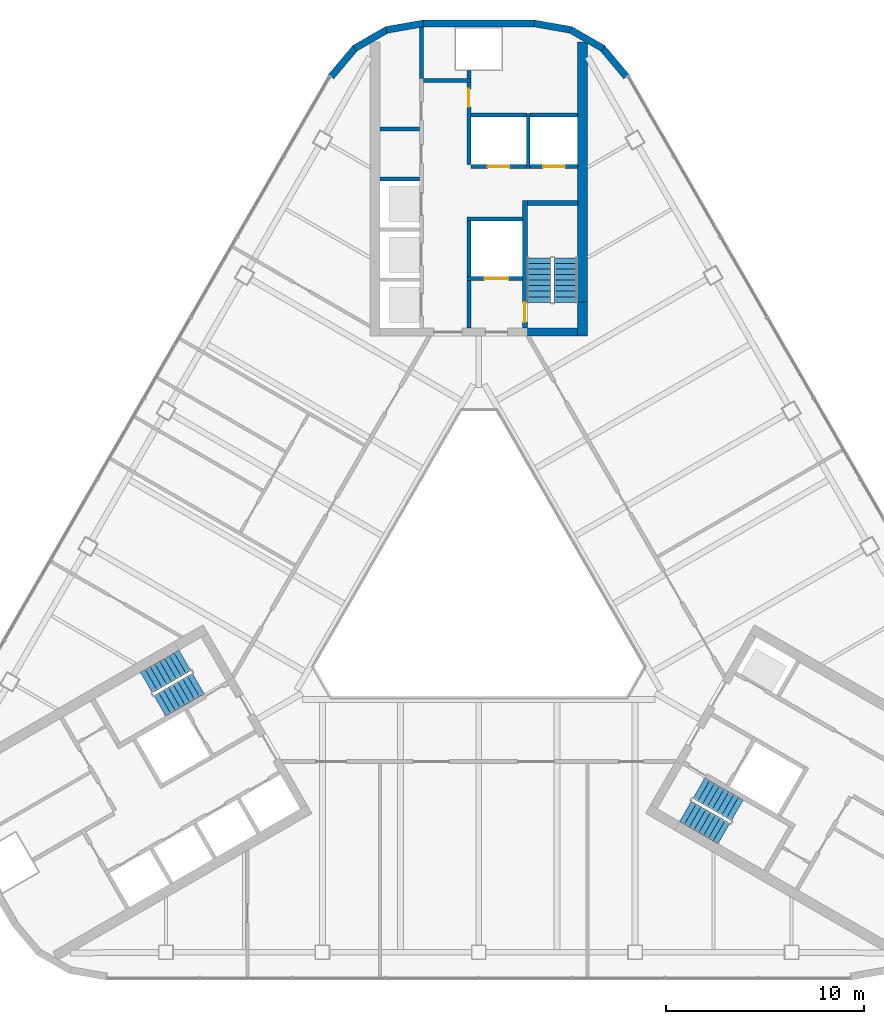
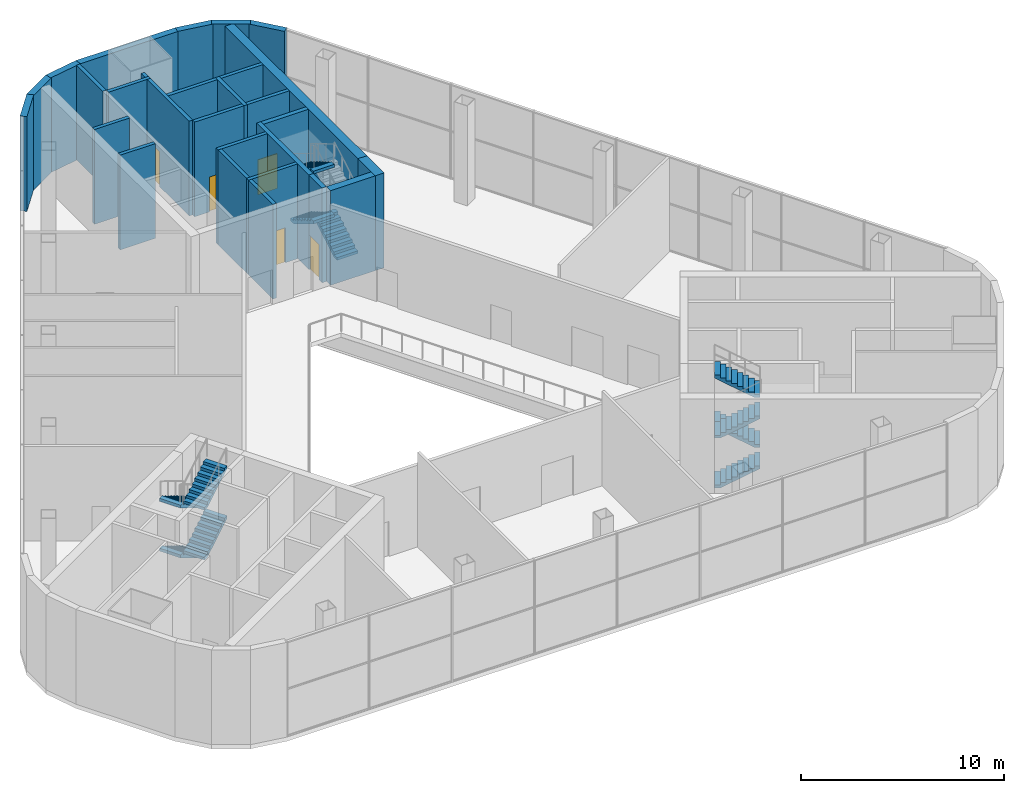
# One storey, part 10 of 14: 28 walls, 11 stair flights, 5 doors, 5 openings, 3 elements without a shape of their own.
"""IFC4 building model written with IfcOpenShell, lengths in metres."""

from ifc_helpers import new_model, si_unit, direction, frame, frame_2d, origin, place, context, subcontext, project, spatial, polyline, rectangle, outline, extrude, material, layer, layer_set, type_object, element, fill, aggregate, save


model = new_model("IFC4")

# Units and contexts
model_context = context("Model", 3, precision=1e-05, world=origin(), true_north=direction((0.0, 1.0)))
body_context = subcontext(model_context, "Body", "Model", "MODEL_VIEW")
ifc_project = project(units=[si_unit("LENGTHUNIT", "METRE"), si_unit("AREAUNIT", "SQUARE_METRE"), si_unit("VOLUMEUNIT", "CUBIC_METRE"), si_unit("PLANEANGLEUNIT", "RADIAN"), si_unit("MASSUNIT", "GRAM", prefix="KILO")], contexts=[model_context])

# Site, building, storey
site_placement = place(None, origin())
site = spatial("IfcSite", under=ifc_project, at=site_placement, CompositionType="ELEMENT")
building_placement = place(site_placement, origin())
building = spatial("IfcBuilding", under=site, at=building_placement, Name="Apuvela Tower Hotel", CompositionType="ELEMENT")
storey_placement = place(building_placement, frame((0.0, 0.0, 231.699951171875)))
storey = spatial("IfcBuildingStorey", under=building, at=storey_placement, Name="L57", CompositionType="ELEMENT", Elevation=231.699951171875)

# Walls
ifc_material_1 = material(Name="Concrete C50/60", Category="concrete")
ifc_layer_1 = layer(ifc_material_1, 0.39990234375)
ifc_layer_set_1 = layer_set([ifc_layer_1], Name="COR-WALL-CORE-400")
wall_type_1 = type_object("IfcWallType", Name="COR-WALL-CORE-400", PredefinedType="SHEAR", material=ifc_layer_set_1)
wall_1_placement = place(storey_placement, frame((5.0, 13.10009765625, 0.0), z_axis=(0.0, 0.0, 1.0), x_axis=(-1.0, 0.0, 0.0)))
element("IfcWall", 1, at=wall_1_placement, inside=storey, type_object=wall_type_1, Name="Core wall N", PredefinedType="SHEAR", context=body_context, shape_type="SweptSolid", body=[
    extrude(rectangle(XDim=2.550048828125, YDim=0.39990234375, at=frame_2d((1.27490234375, 0.0))), origin(), (0.0, 0.0, 1.0), 5.699951171875),
])
ifc_layer_2 = layer(ifc_material_1, 0.5)
ifc_layer_set_2 = layer_set([ifc_layer_2], Name="COR-WALL-CORE-500")
wall_type_2 = type_object("IfcWallType", Name="COR-WALL-CORE-500", PredefinedType="SHEAR", material=ifc_layer_set_2)
wall_2_placement = place(storey_placement, frame((5.25, 12.89990234375, 0.0), z_axis=(0.0, 0.0, 1.0), x_axis=(0.0, 1.0, 0.0)))
element("IfcWall", 2, at=wall_2_placement, inside=storey, type_object=wall_type_2, Name="Core wall N", PredefinedType="SHEAR", context=body_context, shape_type="SweptSolid", body=[
    extrude(rectangle(XDim=1.7060546875, YDim=0.5, at=frame_2d((0.85302734375, 0.0))), origin(), (0.0, 0.0, 1.0), 5.699951171875),
])
wall_3_placement = place(storey_placement, frame((5.25, 14.60595703125, 0.0), z_axis=(0.0, 0.0, 1.0), x_axis=(0.0, 1.0, 0.0)))
element("IfcWall", 3, at=wall_3_placement, inside=storey, type_object=wall_type_2, Name="Core wall N", PredefinedType="SHEAR", context=body_context, shape_type="SweptSolid", body=[
    extrude(rectangle(XDim=13.130859375, YDim=0.5, at=frame_2d((6.5654296875, 0.0))), origin(), (0.0, 0.0, 1.0), 5.699951171875),
])

# Wall, opening, door
ifc_material_2 = material(Name="Blockwork 200 mm plastered", Category="masonry")
ifc_layer_3 = layer(ifc_material_2, 0.199951171875)
ifc_layer_set_3 = layer_set([ifc_layer_3], Name="COR-WALL-PART-200")
wall_type_3 = type_object("IfcWallType", Name="COR-WALL-PART-200", PredefinedType="PARTITIONING", material=ifc_layer_set_3)
wall_4_placement = place(storey_placement, frame((5.0, 21.449951171875, 0.0), z_axis=(0.0, 0.0, 1.0), x_axis=(-1.0, 0.0, 0.0)))
wall_4 = element("IfcWall", 4, at=wall_4_placement, inside=storey, type_object=wall_type_3, Name="Partition N", PredefinedType="PARTITIONING", context=body_context, shape_type="SweptSolid", body=[
    extrude(rectangle(XDim=2.39990234375, YDim=0.199951171875, at=frame_2d((1.199951171875, 0.0))), origin(), (0.0, 0.0, 1.0), 5.699951171875),
])
opening_1_placement = place(wall_4_placement, frame((0.64990234375, 0.0, 0.0)))
opening_1 = element("IfcOpeningElement", 5, at=opening_1_placement, cuts=wall_4, Name="Opening N-LD-SH1", PredefinedType="OPENING", context=body_context, shape_type="SweptSolid", body=[
    extrude(rectangle(XDim=1.10009765625, YDim=2.10009765625, at=frame_2d((0.550048828125, 1.050048828125))), frame((0.0, 0.10986328125, 0.0), z_axis=(0.0, -1.0, 0.0), x_axis=(1.0, 0.0, 0.0)), (0.0, 0.0, 1.0), 0.219970703125),
])
ifc_material_3 = material(Name="Stainless steel lift landing door", Category="steel")
door_type_1 = type_object("IfcDoorType", Name="COR-LD-1100", OperationType="DOUBLE_DOOR_SLIDING", PredefinedType="DOOR", material=ifc_material_3)
door_1_placement = place(opening_1_placement, origin())
door_1 = element("IfcDoor", 6, at=door_1_placement, inside=storey, type_object=door_type_1, Name="Lift landing door N-LD-SH1", OperationType="DOUBLE_DOOR_SLIDING", OverallHeight=2.10009765625, OverallWidth=1.10009765625, PredefinedType="DOOR", context=body_context, shape_type="SweptSolid", body=[
    extrude(rectangle(XDim=1.10009765625, YDim=2.10009765625, at=frame_2d((0.550048828125, 1.050048828125))), frame((0.0, 0.02490234375, 0.0), z_axis=(0.0, -1.0, 0.0), x_axis=(1.0, 0.0, 0.0)), (0.0, 0.0, 1.0), 0.050048828125),
])
fill(opening_1, door_1)

wall_5_placement = place(storey_placement, frame((2.39990234375, 21.449951171875, 0.0), z_axis=(0.0, 0.0, 1.0), x_axis=(-1.0, 0.0, 0.0)))
wall_5 = element("IfcWall", 7, at=wall_5_placement, inside=storey, type_object=wall_type_3, Name="Partition N", PredefinedType="PARTITIONING", context=body_context, shape_type="SweptSolid", body=[
    extrude(rectangle(XDim=2.7998046875, YDim=0.199951171875, at=frame_2d((1.39990234375, 0.0))), origin(), (0.0, 0.0, 1.0), 5.699951171875),
])
opening_2_placement = place(wall_5_placement, frame((0.85009765625, 0.0, 0.0)))
opening_2 = element("IfcOpeningElement", 8, at=opening_2_placement, cuts=wall_5, Name="Opening N-LD-SH2", PredefinedType="OPENING", context=body_context, shape_type="SweptSolid", body=[
    extrude(rectangle(XDim=1.10009765625, YDim=2.10009765625, at=frame_2d((0.550048828125, 1.050048828125))), frame((0.0, 0.10986328125, 0.0), z_axis=(0.0, -1.0, 0.0), x_axis=(1.0, 0.0, 0.0)), (0.0, 0.0, 1.0), 0.219970703125),
])
door_2_placement = place(opening_2_placement, origin())
door_2 = element("IfcDoor", 9, at=door_2_placement, inside=storey, type_object=door_type_1, Name="Lift landing door N-LD-SH2", OperationType="DOUBLE_DOOR_SLIDING", OverallHeight=2.10009765625, OverallWidth=1.10009765625, PredefinedType="DOOR", context=body_context, shape_type="SweptSolid", body=[
    extrude(rectangle(XDim=1.10009765625, YDim=2.10009765625, at=frame_2d((0.550048828125, 1.050048828125))), frame((0.0, 0.02490234375, 0.0), z_axis=(0.0, -1.0, 0.0), x_axis=(1.0, 0.0, 0.0)), (0.0, 0.0, 1.0), 0.050048828125),
])
fill(opening_2, door_2)

# Wall
ifc_layer_4 = layer(ifc_material_1, 0.199951171875)
ifc_layer_set_4 = layer_set([ifc_layer_4], Name="COR-WALL-SHAFT-200")
wall_type_4 = type_object("IfcWallType", Name="COR-WALL-SHAFT-200", PredefinedType="SHEAR", material=ifc_layer_set_4)
wall_6_placement = place(storey_placement, frame((2.199951171875, 18.800048828125, 0.0), z_axis=(0.0, 0.0, 1.0), x_axis=(-1.0, 0.0, 0.0)))
element("IfcWall", 10, at=wall_6_placement, inside=storey, type_object=wall_type_4, Name="Shaft wall N", PredefinedType="SHEAR", context=body_context, shape_type="SweptSolid", body=[
    extrude(rectangle(XDim=2.800048828125, YDim=0.199951171875, at=frame_2d((1.39990234375, 0.0))), origin(), (0.0, 0.0, 1.0), 5.699951171875),
])

# Wall, opening, door
wall_7_placement = place(storey_placement, frame((2.199951171875, 15.800048828125, 0.0), z_axis=(0.0, 0.0, 1.0), x_axis=(-1.0, 0.0, 0.0)))
wall_7 = element("IfcWall", 11, at=wall_7_placement, inside=storey, type_object=wall_type_4, Name="Shaft wall N", PredefinedType="SHEAR", context=body_context, shape_type="SweptSolid", body=[
    extrude(rectangle(XDim=2.800048828125, YDim=0.199951171875, at=frame_2d((1.39990234375, 0.0))), origin(), (0.0, 0.0, 1.0), 5.699951171875),
])
opening_3_placement = place(wall_7_placement, frame((0.699951171875, 0.0, 0.0)))
opening_3 = element("IfcOpeningElement", 12, at=opening_3_placement, cuts=wall_7, Name="Opening N-LD-FS1", PredefinedType="OPENING", context=body_context, shape_type="SweptSolid", body=[
    extrude(rectangle(XDim=1.199951171875, YDim=2.10009765625, at=frame_2d((0.60009765625, 1.050048828125))), frame((0.0, 0.10986328125, 0.0), z_axis=(0.0, -1.0, 0.0), x_axis=(1.0, 0.0, 0.0)), (0.0, 0.0, 1.0), 0.219970703125),
])
door_type_2 = type_object("IfcDoorType", Name="COR-LD-1200", OperationType="DOUBLE_DOOR_SLIDING", PredefinedType="DOOR", material=ifc_material_3)
door_3_placement = place(opening_3_placement, origin())
door_3 = element("IfcDoor", 13, at=door_3_placement, inside=storey, type_object=door_type_2, Name="Lift landing door N-LD-FS1", OperationType="DOUBLE_DOOR_SLIDING", OverallHeight=2.10009765625, OverallWidth=1.199951171875, PredefinedType="DOOR", context=body_context, shape_type="SweptSolid", body=[
    extrude(rectangle(XDim=1.199951171875, YDim=2.10009765625, at=frame_2d((0.60009765625, 1.050048828125))), frame((0.0, 0.02490234375, 0.0), z_axis=(0.0, -1.0, 0.0), x_axis=(1.0, 0.0, 0.0)), (0.0, 0.0, 1.0), 0.050048828125),
])
fill(opening_3, door_3)

# Walls
wall_8_placement = place(storey_placement, frame((-0.5, 15.89990234375, 0.0), z_axis=(0.0, 0.0, 1.0), x_axis=(0.0, 1.0, 0.0)))
element("IfcWall", 14, at=wall_8_placement, inside=storey, type_object=wall_type_4, Name="Shaft wall N", PredefinedType="SHEAR", context=body_context, shape_type="SweptSolid", body=[
    extrude(rectangle(XDim=2.800048828125, YDim=0.199951171875, at=frame_2d((1.39990234375, 0.0))), origin(), (0.0, 0.0, 1.0), 5.699951171875),
])
wall_9_placement = place(storey_placement, frame((-0.5, 13.300048828125, 0.0), z_axis=(0.0, 0.0, 1.0), x_axis=(0.0, 1.0, 0.0)))
element("IfcWall", 15, at=wall_9_placement, inside=storey, type_object=wall_type_4, Name="Shaft wall N", PredefinedType="SHEAR", context=body_context, shape_type="SweptSolid", body=[
    extrude(rectangle(XDim=2.39990234375, YDim=0.199951171875, at=frame_2d((1.199951171875, 0.0))), origin(), (0.0, 0.0, 1.0), 5.699951171875),
])
wall_10_placement = place(storey_placement, frame((-0.39990234375, 25.800048828125, 0.0), z_axis=(0.0, 0.0, 1.0), x_axis=(-1.0, 0.0, 0.0)))
element("IfcWall", 16, at=wall_10_placement, inside=storey, type_object=wall_type_4, Name="Shaft wall N", PredefinedType="SHEAR", context=body_context, shape_type="SweptSolid", body=[
    extrude(rectangle(XDim=2.400146484375, YDim=0.199951171875, at=frame_2d((1.2001953125, 0.0))), origin(), (0.0, 0.0, 1.0), 5.699951171875),
])

# Wall, opening, door
wall_11_placement = place(storey_placement, frame((-0.5, 21.550048828125, 0.0), z_axis=(0.0, 0.0, 1.0), x_axis=(0.0, 1.0, 0.0)))
wall_11 = element("IfcWall", 17, at=wall_11_placement, inside=storey, type_object=wall_type_4, Name="Shaft wall N", PredefinedType="SHEAR", context=body_context, shape_type="SweptSolid", body=[
    extrude(rectangle(XDim=4.14990234375, YDim=0.199951171875, at=frame_2d((2.074951171875, 0.0))), origin(), (0.0, 0.0, 1.0), 5.699951171875),
])
opening_4_placement = place(wall_11_placement, frame((2.925048828125, 0.0, 0.0)))
opening_4 = element("IfcOpeningElement", 18, at=opening_4_placement, cuts=wall_11, Name="Opening N-RSP", PredefinedType="OPENING", context=body_context, shape_type="SweptSolid", body=[
    extrude(rectangle(XDim=0.89990234375, YDim=2.10009765625, at=frame_2d((0.449951171875, 1.050048828125))), frame((0.0, 0.10986328125, 0.0), z_axis=(0.0, -1.0, 0.0), x_axis=(1.0, 0.0, 0.0)), (0.0, 0.0, 1.0), 0.219970703125),
])
ifc_material_4 = material(Name="Steel fire door, powder coated", Category="steel")
door_type_3 = type_object("IfcDoorType", Name="COR-DR-900", OperationType="NOTDEFINED", PredefinedType="DOOR", material=ifc_material_4)
door_4_placement = place(opening_4_placement, frame((0.89990234375, 0.0, 0.0), z_axis=(0.0, 0.0, 1.0), x_axis=(-1.0, 0.0, 0.0)))
door_4 = element("IfcDoor", 19, at=door_4_placement, inside=storey, type_object=door_type_3, Name="Store door N-RSP", OperationType="SINGLE_SWING_LEFT", OverallHeight=2.10009765625, OverallWidth=0.89990234375, PredefinedType="DOOR", context=body_context, shape_type="SweptSolid", body=[
    extrude(rectangle(XDim=0.89990234375, YDim=2.10009765625, at=frame_2d((0.449951171875, 1.050048828125))), frame((0.0, 0.02490234375, 0.0), z_axis=(0.0, -1.0, 0.0), x_axis=(1.0, 0.0, 0.0)), (0.0, 0.0, 1.0), 0.050048828125),
])
fill(opening_4, door_4)

# Walls
for number, where, z_axis, x_axis, name in (
    (20, (-3.0, 20.820068359375, 0.0), (0.0, 0.0, 1.0), (-1.0, 0.0, 0.0), "Shaft wall N"),
    (21, (-3.0, 23.360107421875, 0.0), (0.0, 0.0, 1.0), (-1.0, 0.0, 0.0), "Shaft wall N"),
):
    element("IfcWall", number, at=place(storey_placement, frame(where, z_axis=z_axis, x_axis=x_axis)), inside=storey, type_object=wall_type_4, Name=name, PredefinedType="SHEAR", context=body_context, shape_type="SweptSolid", body=[
        extrude(rectangle(XDim=2.0, YDim=0.199951171875, at=frame_2d((1.0, 0.0))), origin(), (0.0, 0.0, 1.0), 5.699951171875),
    ])
wall_12_placement = place(storey_placement, frame((-0.5, 25.89990234375, 0.0), z_axis=(0.0, 0.0, 1.0), x_axis=(0.0, 1.0, 0.0)))
element("IfcWall", 22, at=wall_12_placement, inside=storey, type_object=wall_type_4, Name="Shaft wall N", PredefinedType="SHEAR", context=body_context, shape_type="SweptSolid", body=[
    extrude(rectangle(XDim=0.400146484375, YDim=0.199951171875, at=frame_2d((0.2001953125, 0.0))), origin(), (0.0, 0.0, 1.0), 5.699951171875),
])
wall_13_placement = place(storey_placement, frame((-2.89990234375, 25.89990234375, 0.0), z_axis=(0.0, 0.0, 1.0), x_axis=(0.0, 1.0, 0.0)))
element("IfcWall", 23, at=wall_13_placement, inside=storey, type_object=wall_type_4, Name="Shaft wall N", PredefinedType="SHEAR", context=body_context, shape_type="SweptSolid", body=[
    extrude(rectangle(XDim=2.60009765625, YDim=0.199951171875, at=frame_2d((1.300048828125, 0.0))), origin(), (0.0, 0.0, 1.0), 5.699951171875),
])
wall_14_placement = place(storey_placement, frame((2.5, 21.35009765625, 0.0), z_axis=(0.0, 0.0, 1.0), x_axis=(0.0, 1.0, 0.0)))
element("IfcWall", 24, at=wall_14_placement, inside=storey, type_object=wall_type_4, Name="Shaft wall N", PredefinedType="SHEAR", context=body_context, shape_type="SweptSolid", body=[
    extrude(rectangle(XDim=2.7998046875, YDim=0.199951171875, at=frame_2d((1.39990234375, 0.0))), origin(), (0.0, 0.0, 1.0), 5.699951171875),
])
wall_15_placement = place(storey_placement, frame((5.0, 24.050048828125, 0.0), z_axis=(0.0, 0.0, 1.0), x_axis=(-1.0, 0.0, 0.0)))
element("IfcWall", 25, at=wall_15_placement, inside=storey, type_object=wall_type_4, Name="Shaft wall N", PredefinedType="SHEAR", context=body_context, shape_type="SweptSolid", body=[
    extrude(rectangle(XDim=2.39990234375, YDim=0.199951171875, at=frame_2d((1.199951171875, 0.0))), origin(), (0.0, 0.0, 1.0), 5.699951171875),
])
wall_16_placement = place(storey_placement, frame((2.39990234375, 24.050048828125, 0.0), z_axis=(0.0, 0.0, 1.0), x_axis=(-1.0, 0.0, 0.0)))
element("IfcWall", 26, at=wall_16_placement, inside=storey, type_object=wall_type_4, Name="Shaft wall N", PredefinedType="SHEAR", context=body_context, shape_type="SweptSolid", body=[
    extrude(rectangle(XDim=2.7998046875, YDim=0.199951171875, at=frame_2d((1.39990234375, 0.0))), origin(), (0.0, 0.0, 1.0), 5.699951171875),
])
ifc_layer_5 = layer(ifc_material_1, 0.25)
ifc_layer_set_5 = layer_set([ifc_layer_5], Name="COR-WALL-STAIR-250")
wall_type_5 = type_object("IfcWallType", Name="COR-WALL-STAIR-250", PredefinedType="SHEAR", material=ifc_layer_set_5)
wall_17_placement = place(storey_placement, frame((5.0, 19.625, 0.0), z_axis=(0.0, 0.0, 1.0), x_axis=(-1.0, 0.0, 0.0)))
element("IfcWall", 27, at=wall_17_placement, inside=storey, type_object=wall_type_5, Name="Stair wall N", PredefinedType="SHEAR", context=body_context, shape_type="SweptSolid", body=[
    extrude(rectangle(XDim=2.550048828125, YDim=0.25, at=frame_2d((1.27490234375, 0.0))), origin(), (0.0, 0.0, 1.0), 5.699951171875),
])

# Wall, opening, door
wall_18_placement = place(storey_placement, frame((2.324951171875, 13.300048828125, 0.0), z_axis=(0.0, 0.0, 1.0), x_axis=(0.0, 1.0, 0.0)))
wall_18 = element("IfcWall", 28, at=wall_18_placement, inside=storey, type_object=wall_type_5, Name="Stair wall N", PredefinedType="SHEAR", context=body_context, shape_type="SweptSolid", body=[
    extrude(rectangle(XDim=1.305908203125, YDim=0.25, at=frame_2d((0.65283203125, 0.0))), origin(), (0.0, 0.0, 1.0), 5.699951171875),
])
opening_5_placement = place(wall_18_placement, frame((0.300048828125, 0.0, 0.0)))
opening_5 = element("IfcOpeningElement", 29, at=opening_5_placement, cuts=wall_18, Name="Opening N-SD", PredefinedType="OPENING", context=body_context, shape_type="SweptSolid", body=[
    extrude(rectangle(XDim=1.0, YDim=2.10009765625, at=frame_2d((0.5, 1.050048828125))), frame((0.0, 0.135009765625, 0.0), z_axis=(0.0, -1.0, 0.0), x_axis=(1.0, 0.0, 0.0)), (0.0, 0.0, 1.0), 0.27001953125),
])
door_type_4 = type_object("IfcDoorType", Name="COR-SD-1000", OperationType="NOTDEFINED", PredefinedType="DOOR", material=ifc_material_4)
door_5_placement = place(opening_5_placement, frame((1.0, 0.0, 0.0), z_axis=(0.0, 0.0, 1.0), x_axis=(-1.0, 0.0, 0.0)))
door_5 = element("IfcDoor", 30, at=door_5_placement, inside=storey, type_object=door_type_4, Name="Stair door N-SD", OperationType="SINGLE_SWING_LEFT", OverallHeight=2.10009765625, OverallWidth=1.0, PredefinedType="DOOR", context=body_context, shape_type="SweptSolid", body=[
    extrude(rectangle(XDim=1.0, YDim=2.10009765625, at=frame_2d((0.5, 1.050048828125))), frame((0.0, 0.02490234375, 0.0), z_axis=(0.0, -1.0, 0.0), x_axis=(1.0, 0.0, 0.0)), (0.0, 0.0, 1.0), 0.050048828125),
])
fill(opening_5, door_5)

# Walls
wall_19_placement = place(storey_placement, frame((2.324951171875, 14.60595703125, 0.0), z_axis=(0.0, 0.0, 1.0), x_axis=(0.0, 1.0, 0.0)))
element("IfcWall", 31, at=wall_19_placement, inside=storey, type_object=wall_type_5, Name="Stair wall N", PredefinedType="SHEAR", context=body_context, shape_type="SweptSolid", body=[
    extrude(rectangle(XDim=5.14404296875, YDim=0.25, at=frame_2d((2.572021484375, 0.0))), origin(), (0.0, 0.0, 1.0), 5.699951171875),
])
ifc_material_5 = material(Name="Concrete C40/50, dark pigmented precast panel", Category="concrete")
ifc_layer_6 = layer(ifc_material_5, 0.35009765625)
ifc_layer_set_6 = layer_set([ifc_layer_6], Name="ENV-WALL-350")
wall_type_6 = type_object("IfcWallType", Name="ENV-WALL-350", PredefinedType="SOLIDWALL", material=ifc_layer_set_6)
for number, where, z_axis, x_axis, name in (
    (32, (6.27685546875, 27.421630859375, 0.0), (0.0, 0.0, 1.0), (-0.866032345022, 0.499987977232, 0.0), "External wall L57-01"),
    (33, (4.6796875, 28.35595703125, 0.0), (0.0, 0.0, 1.0), (-0.984798995425, 0.173697837091, 0.0), "External wall L57-02"),
):
    element("IfcWall", number, at=place(storey_placement, frame(where, z_axis=z_axis, x_axis=x_axis)), inside=storey, type_object=wall_type_6, Name=name, PredefinedType="SOLIDWALL", context=body_context, shape_type="SweptSolid", body=[
        extrude(rectangle(XDim=1.91015625, YDim=0.35009765625, at=frame_2d((0.955078125, 0.0))), origin(), (0.0, 0.0, 1.0), 5.699951171875),
    ])
wall_20_placement = place(storey_placement, frame((2.8291015625, 28.68505859375, 0.0), z_axis=(0.0, 0.0, 1.0), x_axis=(-1.0, 0.0, 0.0)))
element("IfcWall", 34, at=wall_20_placement, inside=storey, type_object=wall_type_6, Name="External wall L57-03", PredefinedType="SOLIDWALL", context=body_context, shape_type="SweptSolid", body=[
    extrude(rectangle(XDim=5.658203125, YDim=0.35009765625, at=frame_2d((2.8291015625, 0.0))), origin(), (0.0, 0.0, 1.0), 5.699951171875),
])
for number, where, z_axis, x_axis, name in (
    (35, (-2.798583984375, 28.687744140625, 0.0), (0.0, 0.0, 1.0), (-0.984798995425, -0.173697837091, 0.0), "External wall L57-04"),
    (36, (-4.62255859375, 28.376708984375, 0.0), (0.0, 0.0, 1.0), (-0.866032345022, -0.499987977232, 0.0), "External wall L57-05"),
):
    element("IfcWall", number, at=place(storey_placement, frame(where, z_axis=z_axis, x_axis=x_axis)), inside=storey, type_object=wall_type_6, Name=name, PredefinedType="SOLIDWALL", context=body_context, shape_type="SweptSolid", body=[
        extrude(rectangle(XDim=1.91015625, YDim=0.35009765625, at=frame_2d((0.955078125, 0.0))), origin(), (0.0, 0.0, 1.0), 5.699951171875),
    ])
for number, where, z_axis, x_axis, name in (
    (37, (-6.230224609375, 27.460693359375, 0.0), (0.0, 0.0, 1.0), (-0.642808304945, -0.766027077259, 0.0), "External wall L57-06"),
    (38, (7.4580078125, 25.99755859375, 0.0), (0.0, 0.0, 1.0), (-0.642808304945, 0.766027077259, 0.0), "External wall L57-24"),
):
    element("IfcWall", number, at=place(storey_placement, frame(where, z_axis=z_axis, x_axis=x_axis)), inside=storey, type_object=wall_type_6, Name=name, PredefinedType="SOLIDWALL", context=body_context, shape_type="SweptSolid", body=[
        extrude(rectangle(XDim=1.909912109375, YDim=0.35009765625, at=frame_2d((0.955078125, 0.0))), origin(), (0.0, 0.0, 1.0), 5.699951171875),
    ])

# Stair, stair flights
stair_type = type_object("IfcStairType", Name="COR-STAIR-36R", PredefinedType="HALF_TURN_STAIR", material=ifc_material_1)
stair_1_placement = place(storey_placement, origin())
stair_1 = element("IfcStair", 39, at=stair_1_placement, inside=storey, type_object=stair_type, Name="L57 Exit stair ST1", PredefinedType="HALF_TURN_STAIR")
stair_flight_type = type_object("IfcStairFlightType", Name="COR-FLIGHT-9R", PredefinedType="STRAIGHT", material=ifc_material_1)
stair_flight_1_placement = place(storey_placement, frame((4.39990234375, 14.60009765625, 0.0), z_axis=(0.0, 0.0, 1.0), x_axis=(0.0, 1.0, 0.0)))
stair_flight_1 = element("IfcStairFlight", 40, at=stair_flight_1_placement, type_object=stair_flight_type, Name="ST1 flight 1", NumberOfRisers=9, NumberOfTreads=8, PredefinedType="STRAIGHT", RiserHeight=0.166666667, TreadLength=0.28, context=body_context, shape_type="SweptSolid", body=[
    extrude(outline(polyline([(0.0, 0.0), (0.0, 0.166748046875), (0.280029296875, 0.166748046875), (0.280029296875, 0.333251953125), (0.56005859375, 0.333251953125), (0.56005859375, 0.5), (0.840087890625, 0.5), (0.840087890625, 0.666748046875), (1.1201171875, 0.666748046875), (1.1201171875, 0.833251953125), (1.39990234375, 0.833251953125), (1.39990234375, 1.0), (1.679931640625, 1.0), (1.679931640625, 1.166748046875), (1.9599609375, 1.166748046875), (1.9599609375, 1.333251953125), (2.239990234375, 1.333251953125), (2.239990234375, 1.5), (2.239990234375, 1.158935546875), (0.29296875, 0.0), (0.0, 0.0)])), frame((0.0, 0.60009765625, 0.0), z_axis=(0.0, -1.0, 0.0), x_axis=(1.0, 0.0, 0.0)), (0.0, 0.0, 1.0), 1.199951171875),
])
stair_flight_2_placement = place(storey_placement, frame((3.050048828125, 16.840087890625, 1.5), z_axis=(0.0, 0.0, 1.0), x_axis=(0.0, -1.0, 0.0)))
stair_flight_2 = element("IfcStairFlight", 41, at=stair_flight_2_placement, type_object=stair_flight_type, Name="ST1 flight 2", NumberOfRisers=9, NumberOfTreads=8, PredefinedType="STRAIGHT", RiserHeight=0.166666667, TreadLength=0.28, context=body_context, shape_type="SweptSolid", body=[
    extrude(outline(polyline([(0.0, 0.0), (0.0, 0.166748046875), (0.280029296875, 0.166748046875), (0.280029296875, 0.333251953125), (0.56005859375, 0.333251953125), (0.56005859375, 0.5), (0.840087890625, 0.5), (0.840087890625, 0.666748046875), (1.1201171875, 0.666748046875), (1.1201171875, 0.833251953125), (1.39990234375, 0.833251953125), (1.39990234375, 1.0), (1.679931640625, 1.0), (1.679931640625, 1.166748046875), (1.9599609375, 1.166748046875), (1.9599609375, 1.333251953125), (2.239990234375, 1.333251953125), (2.239990234375, 1.5), (2.239990234375, 1.158935546875), (0.29296875, 0.0), (0.0, 0.0)])), frame((0.0, 0.60009765625, 0.0), z_axis=(0.0, -1.0, 0.0), x_axis=(1.0, 0.0, 0.0)), (0.0, 0.0, 1.0), 1.199951171875),
])
stair_flight_3_placement = place(storey_placement, frame((3.050048828125, 16.840087890625, 4.5), z_axis=(0.0, 0.0, 1.0), x_axis=(0.0, -1.0, 0.0)))
stair_flight_3 = element("IfcStairFlight", 42, at=stair_flight_3_placement, type_object=stair_flight_type, Name="ST1 flight 4", NumberOfRisers=9, NumberOfTreads=8, PredefinedType="STRAIGHT", RiserHeight=0.166666667, TreadLength=0.28, context=body_context, shape_type="SweptSolid", body=[
    extrude(outline(polyline([(0.0, 0.0), (0.0, 0.166748046875), (0.280029296875, 0.166748046875), (0.280029296875, 0.333251953125), (0.56005859375, 0.333251953125), (0.56005859375, 0.5), (0.840087890625, 0.5), (0.840087890625, 0.666748046875), (1.1201171875, 0.666748046875), (1.1201171875, 0.833251953125), (1.39990234375, 0.833251953125), (1.39990234375, 1.0), (1.679931640625, 1.0), (1.679931640625, 1.166748046875), (1.9599609375, 1.166748046875), (1.9599609375, 1.333251953125), (2.239990234375, 1.333251953125), (2.239990234375, 1.5), (2.239990234375, 1.158935546875), (0.29296875, 0.0), (0.0, 0.0)])), frame((0.0, 0.60009765625, 0.0), z_axis=(0.0, -1.0, 0.0), x_axis=(1.0, 0.0, 0.0)), (0.0, 0.0, 1.0), 1.199951171875),
])
aggregate(stair_1, [stair_flight_1, stair_flight_2, stair_flight_3])

stair_2_placement = place(storey_placement, origin())
stair_2 = element("IfcStair", 43, at=stair_2_placement, inside=storey, type_object=stair_type, Name="L57 Exit stair ST2", PredefinedType="HALF_TURN_STAIR")
stair_flight_4_placement = place(storey_placement, frame((-14.843994140625, -3.489501953125, 0.0), z_axis=(0.0, 0.0, 1.0), x_axis=(-0.866025403784, -0.5, 0.0)))
stair_flight_4 = element("IfcStairFlight", 44, at=stair_flight_4_placement, type_object=stair_flight_type, Name="ST2 flight 1", NumberOfRisers=9, NumberOfTreads=8, PredefinedType="STRAIGHT", RiserHeight=0.166666667, TreadLength=0.28, context=body_context, shape_type="SweptSolid", body=[
    extrude(outline(polyline([(0.0, 0.0), (0.0, 0.166748046875), (0.280029296875, 0.166748046875), (0.280029296875, 0.333251953125), (0.56005859375, 0.333251953125), (0.56005859375, 0.5), (0.840087890625, 0.5), (0.840087890625, 0.666748046875), (1.1201171875, 0.666748046875), (1.1201171875, 0.833251953125), (1.39990234375, 0.833251953125), (1.39990234375, 1.0), (1.679931640625, 1.0), (1.679931640625, 1.166748046875), (1.9599609375, 1.166748046875), (1.9599609375, 1.333251953125), (2.239990234375, 1.333251953125), (2.239990234375, 1.5), (2.239990234375, 1.158935546875), (0.29296875, 0.0), (0.0, 0.0)])), frame((0.0, 0.60009765625, 0.0), z_axis=(0.0, -1.0, 0.0), x_axis=(1.0, 0.0, 0.0)), (0.0, 0.0, 1.0), 1.199951171875),
])
stair_flight_5_placement = place(storey_placement, frame((-16.10888671875, -5.778564453125, 1.5), z_axis=(0.0, 0.0, 1.0), x_axis=(0.866025403784, 0.5, 0.0)))
stair_flight_5 = element("IfcStairFlight", 45, at=stair_flight_5_placement, type_object=stair_flight_type, Name="ST2 flight 2", NumberOfRisers=9, NumberOfTreads=8, PredefinedType="STRAIGHT", RiserHeight=0.166666667, TreadLength=0.28, context=body_context, shape_type="SweptSolid", body=[
    extrude(outline(polyline([(0.0, 0.0), (0.0, 0.166748046875), (0.280029296875, 0.166748046875), (0.280029296875, 0.333251953125), (0.56005859375, 0.333251953125), (0.56005859375, 0.5), (0.840087890625, 0.5), (0.840087890625, 0.666748046875), (1.1201171875, 0.666748046875), (1.1201171875, 0.833251953125), (1.39990234375, 0.833251953125), (1.39990234375, 1.0), (1.679931640625, 1.0), (1.679931640625, 1.166748046875), (1.9599609375, 1.166748046875), (1.9599609375, 1.333251953125), (2.239990234375, 1.333251953125), (2.239990234375, 1.5), (2.239990234375, 1.158935546875), (0.29296875, 0.0), (0.0, 0.0)])), frame((0.0, 0.60009765625, 0.0), z_axis=(0.0, -1.0, 0.0), x_axis=(1.0, 0.0, 0.0)), (0.0, 0.0, 1.0), 1.199951171875),
])
stair_flight_6_placement = place(storey_placement, frame((-14.843994140625, -3.489501953125, 3.0), z_axis=(0.0, 0.0, 1.0), x_axis=(-0.866025403784, -0.5, 0.0)))
stair_flight_6 = element("IfcStairFlight", 46, at=stair_flight_6_placement, type_object=stair_flight_type, Name="ST2 flight 3", NumberOfRisers=9, NumberOfTreads=8, PredefinedType="STRAIGHT", RiserHeight=0.166666667, TreadLength=0.28, context=body_context, shape_type="SweptSolid", body=[
    extrude(outline(polyline([(0.0, 0.0), (0.0, 0.166748046875), (0.280029296875, 0.166748046875), (0.280029296875, 0.333251953125), (0.56005859375, 0.333251953125), (0.56005859375, 0.5), (0.840087890625, 0.5), (0.840087890625, 0.666748046875), (1.1201171875, 0.666748046875), (1.1201171875, 0.833251953125), (1.39990234375, 0.833251953125), (1.39990234375, 1.0), (1.679931640625, 1.0), (1.679931640625, 1.166748046875), (1.9599609375, 1.166748046875), (1.9599609375, 1.333251953125), (2.239990234375, 1.333251953125), (2.239990234375, 1.5), (2.239990234375, 1.158935546875), (0.29296875, 0.0), (0.0, 0.0)])), frame((0.0, 0.60009765625, 0.0), z_axis=(0.0, -1.0, 0.0), x_axis=(1.0, 0.0, 0.0)), (0.0, 0.0, 1.0), 1.199951171875),
])
stair_flight_7_placement = place(storey_placement, frame((-16.10888671875, -5.778564453125, 4.5), z_axis=(0.0, 0.0, 1.0), x_axis=(0.866025403784, 0.5, 0.0)))
stair_flight_7 = element("IfcStairFlight", 47, at=stair_flight_7_placement, type_object=stair_flight_type, Name="ST2 flight 4", NumberOfRisers=9, NumberOfTreads=8, PredefinedType="STRAIGHT", RiserHeight=0.166666667, TreadLength=0.28, context=body_context, shape_type="SweptSolid", body=[
    extrude(outline(polyline([(0.0, 0.0), (0.0, 0.166748046875), (0.280029296875, 0.166748046875), (0.280029296875, 0.333251953125), (0.56005859375, 0.333251953125), (0.56005859375, 0.5), (0.840087890625, 0.5), (0.840087890625, 0.666748046875), (1.1201171875, 0.666748046875), (1.1201171875, 0.833251953125), (1.39990234375, 0.833251953125), (1.39990234375, 1.0), (1.679931640625, 1.0), (1.679931640625, 1.166748046875), (1.9599609375, 1.166748046875), (1.9599609375, 1.333251953125), (2.239990234375, 1.333251953125), (2.239990234375, 1.5), (2.239990234375, 1.158935546875), (0.29296875, 0.0), (0.0, 0.0)])), frame((0.0, 0.60009765625, 0.0), z_axis=(0.0, -1.0, 0.0), x_axis=(1.0, 0.0, 0.0)), (0.0, 0.0, 1.0), 1.199951171875),
])
aggregate(stair_2, [stair_flight_4, stair_flight_5, stair_flight_6, stair_flight_7])

stair_3_placement = place(storey_placement, origin())
stair_3 = element("IfcStair", 48, at=stair_3_placement, inside=storey, type_object=stair_type, Name="L57 Exit stair ST3", PredefinedType="HALF_TURN_STAIR")
stair_flight_8_placement = place(storey_placement, frame((10.444091796875, -11.110595703125, 0.0), z_axis=(0.0, 0.0, 1.0), x_axis=(0.866025403784, -0.5, 0.0)))
stair_flight_8 = element("IfcStairFlight", 49, at=stair_flight_8_placement, type_object=stair_flight_type, Name="ST3 flight 1", NumberOfRisers=9, NumberOfTreads=8, PredefinedType="STRAIGHT", RiserHeight=0.166666667, TreadLength=0.28, context=body_context, shape_type="SweptSolid", body=[
    extrude(outline(polyline([(0.0, 0.0), (0.0, 0.166748046875), (0.280029296875, 0.166748046875), (0.280029296875, 0.333251953125), (0.56005859375, 0.333251953125), (0.56005859375, 0.5), (0.840087890625, 0.5), (0.840087890625, 0.666748046875), (1.1201171875, 0.666748046875), (1.1201171875, 0.833251953125), (1.39990234375, 0.833251953125), (1.39990234375, 1.0), (1.679931640625, 1.0), (1.679931640625, 1.166748046875), (1.9599609375, 1.166748046875), (1.9599609375, 1.333251953125), (2.239990234375, 1.333251953125), (2.239990234375, 1.5), (2.239990234375, 1.158935546875), (0.29296875, 0.0), (0.0, 0.0)])), frame((0.0, 0.60009765625, 0.0), z_axis=(0.0, -1.0, 0.0), x_axis=(1.0, 0.0, 0.0)), (0.0, 0.0, 1.0), 1.199951171875),
])
stair_flight_9_placement = place(storey_placement, frame((13.058837890625, -11.061279296875, 1.5), z_axis=(0.0, 0.0, 1.0), x_axis=(-0.866025403784, 0.5, 0.0)))
stair_flight_9 = element("IfcStairFlight", 50, at=stair_flight_9_placement, type_object=stair_flight_type, Name="ST3 flight 2", NumberOfRisers=9, NumberOfTreads=8, PredefinedType="STRAIGHT", RiserHeight=0.166666667, TreadLength=0.28, context=body_context, shape_type="SweptSolid", body=[
    extrude(outline(polyline([(0.0, 0.0), (0.0, 0.166748046875), (0.280029296875, 0.166748046875), (0.280029296875, 0.333251953125), (0.56005859375, 0.333251953125), (0.56005859375, 0.5), (0.840087890625, 0.5), (0.840087890625, 0.666748046875), (1.1201171875, 0.666748046875), (1.1201171875, 0.833251953125), (1.39990234375, 0.833251953125), (1.39990234375, 1.0), (1.679931640625, 1.0), (1.679931640625, 1.166748046875), (1.9599609375, 1.166748046875), (1.9599609375, 1.333251953125), (2.239990234375, 1.333251953125), (2.239990234375, 1.5), (2.239990234375, 1.158935546875), (0.29296875, 0.0), (0.0, 0.0)])), frame((0.0, 0.60009765625, 0.0), z_axis=(0.0, -1.0, 0.0), x_axis=(1.0, 0.0, 0.0)), (0.0, 0.0, 1.0), 1.199951171875),
])
stair_flight_10_placement = place(storey_placement, frame((10.444091796875, -11.110595703125, 3.0), z_axis=(0.0, 0.0, 1.0), x_axis=(0.866025403784, -0.5, 0.0)))
stair_flight_10 = element("IfcStairFlight", 51, at=stair_flight_10_placement, type_object=stair_flight_type, Name="ST3 flight 3", NumberOfRisers=9, NumberOfTreads=8, PredefinedType="STRAIGHT", RiserHeight=0.166666667, TreadLength=0.28, context=body_context, shape_type="SweptSolid", body=[
    extrude(outline(polyline([(0.0, 0.0), (0.0, 0.166748046875), (0.280029296875, 0.166748046875), (0.280029296875, 0.333251953125), (0.56005859375, 0.333251953125), (0.56005859375, 0.5), (0.840087890625, 0.5), (0.840087890625, 0.666748046875), (1.1201171875, 0.666748046875), (1.1201171875, 0.833251953125), (1.39990234375, 0.833251953125), (1.39990234375, 1.0), (1.679931640625, 1.0), (1.679931640625, 1.166748046875), (1.9599609375, 1.166748046875), (1.9599609375, 1.333251953125), (2.239990234375, 1.333251953125), (2.239990234375, 1.5), (2.239990234375, 1.158935546875), (0.29296875, 0.0), (0.0, 0.0)])), frame((0.0, 0.60009765625, 0.0), z_axis=(0.0, -1.0, 0.0), x_axis=(1.0, 0.0, 0.0)), (0.0, 0.0, 1.0), 1.199951171875),
])
stair_flight_11_placement = place(storey_placement, frame((13.058837890625, -11.061279296875, 4.5), z_axis=(0.0, 0.0, 1.0), x_axis=(-0.866025403784, 0.5, 0.0)))
stair_flight_11 = element("IfcStairFlight", 52, at=stair_flight_11_placement, type_object=stair_flight_type, Name="ST3 flight 4", NumberOfRisers=9, NumberOfTreads=8, PredefinedType="STRAIGHT", RiserHeight=0.166666667, TreadLength=0.28, context=body_context, shape_type="SweptSolid", body=[
    extrude(outline(polyline([(0.0, 0.0), (0.0, 0.166748046875), (0.280029296875, 0.166748046875), (0.280029296875, 0.333251953125), (0.56005859375, 0.333251953125), (0.56005859375, 0.5), (0.840087890625, 0.5), (0.840087890625, 0.666748046875), (1.1201171875, 0.666748046875), (1.1201171875, 0.833251953125), (1.39990234375, 0.833251953125), (1.39990234375, 1.0), (1.679931640625, 1.0), (1.679931640625, 1.166748046875), (1.9599609375, 1.166748046875), (1.9599609375, 1.333251953125), (2.239990234375, 1.333251953125), (2.239990234375, 1.5), (2.239990234375, 1.158935546875), (0.29296875, 0.0), (0.0, 0.0)])), frame((0.0, 0.60009765625, 0.0), z_axis=(0.0, -1.0, 0.0), x_axis=(1.0, 0.0, 0.0)), (0.0, 0.0, 1.0), 1.199951171875),
])
aggregate(stair_3, [stair_flight_8, stair_flight_9, stair_flight_10, stair_flight_11])

save(model, "model.ifc")
